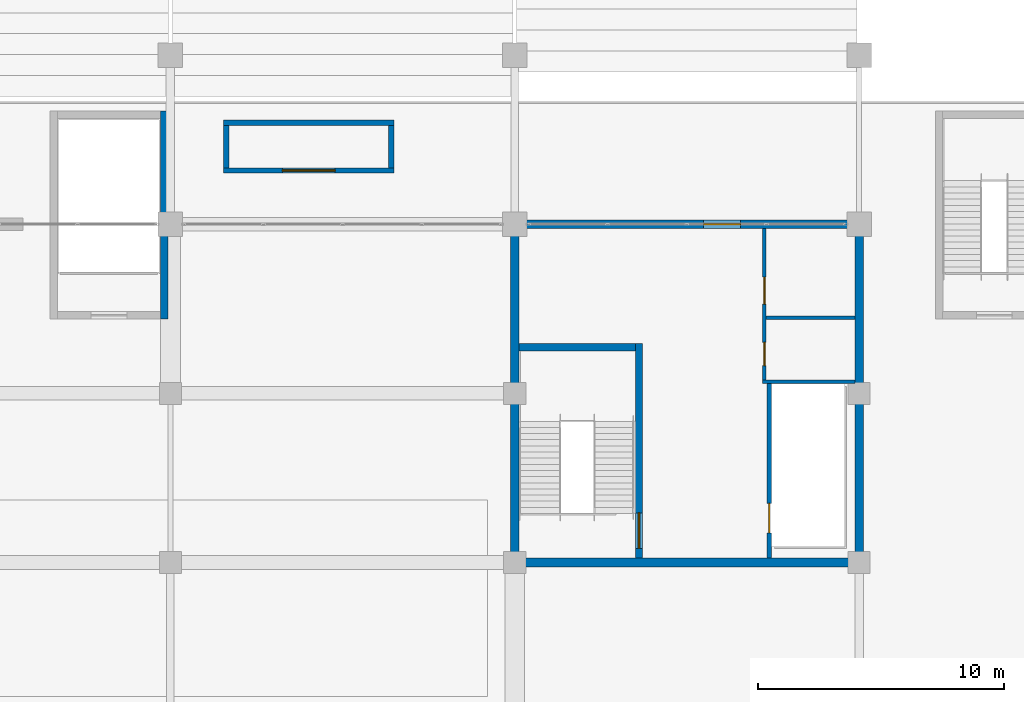
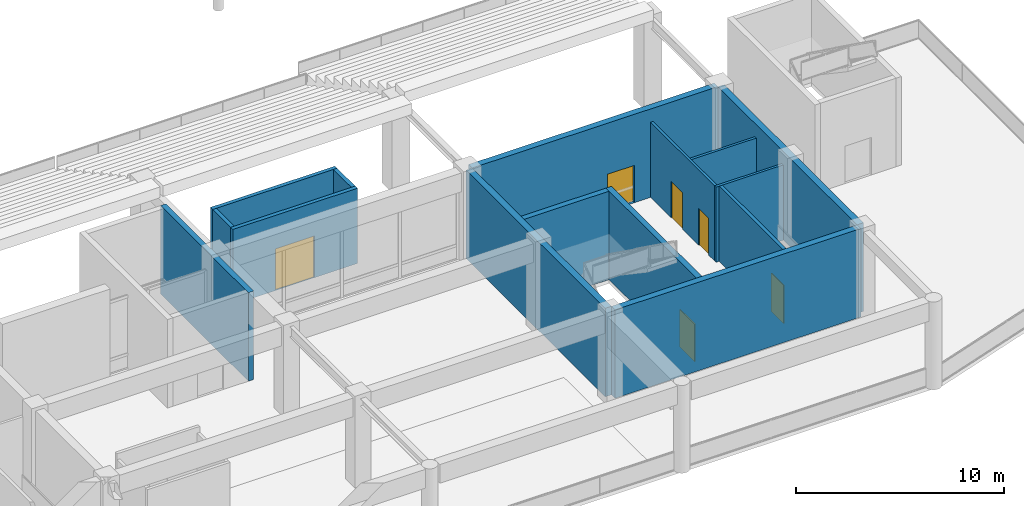
# One storey, part 89 of 117: 15 walls, 6 doors, 6 openings.
"""IFC4 building model written with IfcOpenShell, lengths in metres."""

from ifc_helpers import new_model, si_unit, direction, frame, frame_2d, origin, place, context, subcontext, project, spatial, rectangle, extrude, material, layer, layer_set, type_object, element, fill, save


model = new_model("IFC4")

# Units and contexts
model_context = context("Model", 3, precision=1e-05, world=origin(), true_north=direction((0.0, 1.0)))
body_context = subcontext(model_context, "Body", "Model", "MODEL_VIEW")
ifc_project = project(units=[si_unit("LENGTHUNIT", "METRE"), si_unit("AREAUNIT", "SQUARE_METRE"), si_unit("VOLUMEUNIT", "CUBIC_METRE"), si_unit("PLANEANGLEUNIT", "RADIAN"), si_unit("MASSUNIT", "GRAM", prefix="KILO")], contexts=[model_context])

# Site, building, storey
site_placement = place(None, origin())
site = spatial("IfcSite", under=ifc_project, at=site_placement, CompositionType="ELEMENT")
building_placement = place(site_placement, origin())
building = spatial("IfcBuilding", under=site, at=building_placement, Name="Linyun Crest Stadium", CompositionType="ELEMENT")
storey_placement = place(building_placement, frame((0.0, 0.0, 6.0)))
storey = spatial("IfcBuildingStorey", under=building, at=storey_placement, Name="L02", CompositionType="ELEMENT", Elevation=6.0)

# Walls
ifc_material_1 = material(Name="Concrete C50", Category="concrete")
ifc_layer_1 = layer(ifc_material_1, 0.35009765625)
ifc_layer_set_1 = layer_set([ifc_layer_1], Name="Concrete C50")
wall_type_1 = type_object("IfcWallType", Name="CW01", PredefinedType="SHEAR", material=ifc_layer_set_1)
for number, where, z_axis, x_axis, name in (
    (1, (14.0, -87.074951171875, 0.0), (0.0, 0.0, 1.0), (0.0, 1.0, 0.0), "Core shear wall CW01 CORE-S2 L02.1"),
    (2, (28.0, -87.074951171875, 0.0), (0.0, 0.0, 1.0), (0.0, 1.0, 0.0), "Core shear wall CW01 CORE-S2 L02.2"),
):
    element("IfcWall", number, at=place(storey_placement, frame(where, z_axis=z_axis, x_axis=x_axis)), inside=storey, type_object=wall_type_1, Name=name, PredefinedType="SHEAR", context=body_context, shape_type="SweptSolid", body=[
        extrude(rectangle(XDim=13.39990234375, YDim=0.35009765625, at=frame_2d((6.699951171875, 0.0))), origin(), (0.0, 0.0, 1.0), 5.199951171875),
    ])
wall_1_placement = place(storey_placement, frame((14.175048828125, -87.25, 0.0), z_axis=(0.0, 0.0, 1.0), x_axis=(1.0, 0.0, 0.0)))
element("IfcWall", 3, at=wall_1_placement, inside=storey, type_object=wall_type_1, Name="Core shear wall CW01 CORE-S2 L02.3", PredefinedType="SHEAR", context=body_context, shape_type="SweptSolid", body=[
    extrude(rectangle(XDim=13.64990234375, YDim=0.35009765625, at=frame_2d((6.824951171875, 0.0))), origin(), (0.0, 0.0, 1.0), 5.199951171875),
])

# Wall, opening, door
wall_2_placement = place(storey_placement, frame((14.175048828125, -73.5, 0.0), z_axis=(0.0, 0.0, 1.0), x_axis=(1.0, 0.0, 0.0)))
wall_2 = element("IfcWall", 4, at=wall_2_placement, inside=storey, type_object=wall_type_1, Name="Core shear wall CW01 CORE-S2 L02.4", PredefinedType="SHEAR", context=body_context, shape_type="SweptSolid", body=[
    extrude(rectangle(XDim=13.64990234375, YDim=0.35009765625, at=frame_2d((6.824951171875, 0.0))), origin(), (0.0, 0.0, 1.0), 5.199951171875),
])
opening_1_placement = place(wall_2_placement, frame((7.507080078125, 0.0, 0.0)))
opening_1 = element("IfcOpeningElement", 5, at=opening_1_placement, cuts=wall_2, Name="Opening D-L02-351", PredefinedType="OPENING", context=body_context, shape_type="SweptSolid", body=[
    extrude(rectangle(XDim=1.5, YDim=2.199951171875, at=frame_2d((0.75, 1.10009765625))), frame((0.0, 0.18505859375, 0.0), z_axis=(0.0, -1.0, 0.0), x_axis=(1.0, 0.0, 0.0)), (0.0, 0.0, 1.0), 0.3701171875),
])
ifc_material_2 = material(Name="Galvanized steel Class A fire door", Category="steel")
ifc_layer_2 = layer(ifc_material_2, 0.054931640625)
ifc_layer_set_2 = layer_set([ifc_layer_2], Name="Galvanized steel Class A fire door")
door_type_1 = type_object("IfcDoorType", Name="FD01", OperationType="NOTDEFINED", PredefinedType="DOOR", material=ifc_layer_set_2)
door_1_placement = place(opening_1_placement, origin())
door_1 = element("IfcDoor", 6, at=door_1_placement, inside=storey, type_object=door_type_1, Name="Door D-L02-351", OperationType="SINGLE_SWING_LEFT", OverallHeight=2.199951171875, OverallWidth=1.5, PredefinedType="DOOR", context=body_context, shape_type="SweptSolid", body=[
    extrude(rectangle(XDim=1.5, YDim=2.199951171875, at=frame_2d((0.75, 1.10009765625))), frame((0.0, 0.02490234375, 0.0), z_axis=(0.0, -1.0, 0.0), x_axis=(1.0, 0.0, 0.0)), (0.0, 0.0, 1.0), 0.050048828125),
])
fill(opening_1, door_1)

ifc_material_3 = material(Name="Autoclaved aerated concrete block fire partition", Category="concrete")
ifc_layer_3 = layer(ifc_material_3, 0.179931640625)
ifc_layer_set_3 = layer_set([ifc_layer_3], Name="Autoclaved aerated concrete block fire partition")
wall_type_2 = type_object("IfcWallType", Name="PW12", PredefinedType="PARTITIONING", material=ifc_layer_set_3)
wall_3_placement = place(storey_placement, frame((24.35009765625, -87.074951171875, 0.0), z_axis=(0.0, 0.0, 1.0), x_axis=(0.0, 1.0, 0.0)))
wall_3 = element("IfcWall", 7, at=wall_3_placement, inside=storey, type_object=wall_type_2, Name="Partition PW12 L02 125", PredefinedType="PARTITIONING", context=body_context, shape_type="SweptSolid", body=[
    extrude(rectangle(XDim=7.10498046875, YDim=0.179931640625, at=frame_2d((3.552490234375, 0.0))), origin(), (0.0, 0.0, 1.0), 4.419921875),
])
opening_2_placement = place(wall_3_placement, frame((1.02490234375, 0.0, 0.0)))
opening_2 = element("IfcOpeningElement", 8, at=opening_2_placement, cuts=wall_3, Name="Opening LD104", PredefinedType="OPENING", context=body_context, shape_type="SweptSolid", body=[
    extrude(rectangle(XDim=1.199951171875, YDim=2.25, at=frame_2d((0.60009765625, 1.125))), frame((0.0, 0.099853515625, 0.0), z_axis=(0.0, -1.0, 0.0), x_axis=(1.0, 0.0, 0.0)), (0.0, 0.0, 1.0), 0.199951171875),
])
ifc_material_4 = material(Name="Brushed stainless sliding lift door")
ifc_layer_4 = layer(ifc_material_4, 0.050048828125)
ifc_layer_set_4 = layer_set([ifc_layer_4], Name="Brushed stainless sliding lift door")
door_type_2 = type_object("IfcDoorType", Name="LD02", OperationType="NOTDEFINED", PredefinedType="DOOR", material=ifc_layer_set_4)
door_2_placement = place(opening_2_placement, origin())
door_2 = element("IfcDoor", 9, at=door_2_placement, inside=storey, type_object=door_type_2, Name="Lift landing door LD104", OperationType="DOUBLE_DOOR_SLIDING", OverallHeight=2.25, OverallWidth=1.199951171875, PredefinedType="DOOR", context=body_context, shape_type="SweptSolid", body=[
    extrude(rectangle(XDim=1.199951171875, YDim=2.25, at=frame_2d((0.60009765625, 1.125))), frame((0.0, 0.02490234375, 0.0), z_axis=(0.0, -1.0, 0.0), x_axis=(1.0, 0.0, 0.0)), (0.0, 0.0, 1.0), 0.050048828125),
])
fill(opening_2, door_2)

# Wall, openings, doors
ifc_material_5 = material(Name="Moisture-resistant ceramic-tiled wet-room wall")
ifc_layer_5 = layer(ifc_material_5, 0.139892578125)
ifc_layer_set_5 = layer_set([ifc_layer_5], Name="Moisture-resistant ceramic-tiled wet-room wall")
wall_type_3 = type_object("IfcWallType", Name="PW15", PredefinedType="PARTITIONING", material=ifc_layer_set_5)
wall_4_placement = place(storey_placement, frame((24.14990234375, -79.830078125, 0.0), z_axis=(0.0, 0.0, 1.0), x_axis=(0.0, 1.0, 0.0)))
wall_4 = element("IfcWall", 10, at=wall_4_placement, inside=storey, type_object=wall_type_3, Name="Partition PW15 L02 126", PredefinedType="PARTITIONING", context=body_context, shape_type="SweptSolid", body=[
    extrude(rectangle(XDim=6.155029296875, YDim=0.139892578125, at=frame_2d((3.07763671875, 0.0))), origin(), (0.0, 0.0, 1.0), 4.419921875),
])
opening_3_placement = place(wall_4_placement, frame((0.580078125, 0.0, 0.0)))
opening_3 = element("IfcOpeningElement", 11, at=opening_3_placement, cuts=wall_4, Name="Opening D-L02-354", PredefinedType="OPENING", context=body_context, shape_type="SweptSolid", body=[
    extrude(rectangle(XDim=0.949951171875, YDim=2.14990234375, at=frame_2d((0.47509765625, 1.074951171875))), frame((0.0, 0.079833984375, 0.0), z_axis=(0.0, -1.0, 0.0), x_axis=(1.0, 0.0, 0.0)), (0.0, 0.0, 1.0), 0.159912109375),
])
opening_4_placement = place(wall_4_placement, frame((3.080078125, 0.0, 0.0)))
opening_4 = element("IfcOpeningElement", 12, at=opening_4_placement, cuts=wall_4, Name="Opening D-L02-355", PredefinedType="OPENING", context=body_context, shape_type="SweptSolid", body=[
    extrude(rectangle(XDim=1.10009765625, YDim=2.14990234375, at=frame_2d((0.550048828125, 1.074951171875))), frame((0.0, 0.079833984375, 0.0), z_axis=(0.0, -1.0, 0.0), x_axis=(1.0, 0.0, 0.0)), (0.0, 0.0, 1.0), 0.159912109375),
])
ifc_material_6 = material(Name="Moisture-resistant laminate leaf")
ifc_layer_6 = layer(ifc_material_6, 0.044921875)
ifc_layer_set_6 = layer_set([ifc_layer_6], Name="Moisture-resistant laminate leaf")
door_type_3 = type_object("IfcDoorType", Name="ID02", OperationType="NOTDEFINED", PredefinedType="DOOR", material=ifc_layer_set_6)
door_3_placement = place(opening_3_placement, origin())
door_3 = element("IfcDoor", 13, at=door_3_placement, inside=storey, type_object=door_type_3, Name="Door D-L02-354", OperationType="SINGLE_SWING_RIGHT", OverallHeight=2.14990234375, OverallWidth=0.949951171875, PredefinedType="DOOR", context=body_context, shape_type="SweptSolid", body=[
    extrude(rectangle(XDim=0.949951171875, YDim=2.14990234375, at=frame_2d((0.47509765625, 1.074951171875))), frame((0.0, 0.02490234375, 0.0), z_axis=(0.0, -1.0, 0.0), x_axis=(1.0, 0.0, 0.0)), (0.0, 0.0, 1.0), 0.050048828125),
])
fill(opening_3, door_3)
ifc_material_7 = material(Name="Moisture-resistant laminate leaf")
ifc_layer_7 = layer(ifc_material_7, 0.044921875)
ifc_layer_set_7 = layer_set([ifc_layer_7], Name="Moisture-resistant laminate leaf")
door_type_4 = type_object("IfcDoorType", Name="ID03", OperationType="NOTDEFINED", PredefinedType="DOOR", material=ifc_layer_set_7)
door_4_placement = place(opening_4_placement, origin())
door_4 = element("IfcDoor", 14, at=door_4_placement, inside=storey, type_object=door_type_4, Name="Door D-L02-355", OperationType="SINGLE_SWING_LEFT", OverallHeight=2.14990234375, OverallWidth=1.10009765625, PredefinedType="DOOR", context=body_context, shape_type="SweptSolid", body=[
    extrude(rectangle(XDim=1.10009765625, YDim=2.14990234375, at=frame_2d((0.550048828125, 1.074951171875))), frame((0.0, 0.02490234375, 0.0), z_axis=(0.0, -1.0, 0.0), x_axis=(1.0, 0.0, 0.0)), (0.0, 0.0, 1.0), 0.050048828125),
])
fill(opening_4, door_4)

# Walls
wall_5_placement = place(storey_placement, frame((24.080078125, -79.89990234375, 0.0), z_axis=(0.0, 0.0, 1.0), x_axis=(1.0, 0.0, 0.0)))
element("IfcWall", 15, at=wall_5_placement, inside=storey, type_object=wall_type_3, Name="Enclosure partition PW15 L02 117", PredefinedType="PARTITIONING", context=body_context, shape_type="SweptSolid", body=[
    extrude(rectangle(XDim=3.744873046875, YDim=0.139892578125, at=frame_2d((1.87255859375, 0.0))), origin(), (0.0, 0.0, 1.0), 4.419921875),
])
wall_6_placement = place(storey_placement, frame((24.219970703125, -77.300048828125, 0.0), z_axis=(0.0, 0.0, 1.0), x_axis=(1.0, 0.0, 0.0)))
element("IfcWall", 16, at=wall_6_placement, inside=storey, type_object=wall_type_3, Name="Enclosure partition PW15 L02 118", PredefinedType="PARTITIONING", context=body_context, shape_type="SweptSolid", body=[
    extrude(rectangle(XDim=3.60498046875, YDim=0.139892578125, at=frame_2d((1.802490234375, 0.0))), origin(), (0.0, 0.0, 1.0), 4.419921875),
])

# Wall, opening, door
ifc_material_8 = material(Name="Kitchen hood and service riser enclosure wall")
ifc_layer_8 = layer(ifc_material_8, 0.2099609375)
ifc_layer_set_8 = layer_set([ifc_layer_8], Name="Kitchen hood and service riser enclosure wall")
wall_type_4 = type_object("IfcWallType", Name="PW26", PredefinedType="PARTITIONING", material=ifc_layer_set_8)
wall_7_placement = place(storey_placement, frame((9.0849609375, -71.31005859375, 0.0), z_axis=(0.0, 0.0, 1.0), x_axis=(-1.0, 0.0, 0.0)))
wall_7 = element("IfcWall", 17, at=wall_7_placement, inside=storey, type_object=wall_type_4, Name="Partition PW26 L02 195", PredefinedType="PARTITIONING", context=body_context, shape_type="SweptSolid", body=[
    extrude(rectangle(XDim=6.919921875, YDim=0.2099609375, at=frame_2d((3.4599609375, 0.0))), origin(), (0.0, 0.0, 1.0), 4.419921875),
])
opening_5_placement = place(wall_7_placement, frame((2.385009765625, 0.0, 0.0)))
opening_5 = element("IfcOpeningElement", 18, at=opening_5_placement, cuts=wall_7, Name="Opening D-L02-458", PredefinedType="OPENING", context=body_context, shape_type="SweptSolid", body=[
    extrude(rectangle(XDim=2.14990234375, YDim=2.449951171875, at=frame_2d((1.074951171875, 1.22509765625))), frame((0.0, 0.114990234375, 0.0), z_axis=(0.0, -1.0, 0.0), x_axis=(1.0, 0.0, 0.0)), (0.0, 0.0, 1.0), 0.22998046875),
])
ifc_material_9 = material(Name="Anodized aluminium retail door", Category="aluminium")
ifc_layer_9 = layer(ifc_material_9, 0.054931640625)
ifc_layer_set_9 = layer_set([ifc_layer_9], Name="Anodized aluminium retail door")
door_type_5 = type_object("IfcDoorType", Name="ID18", OperationType="NOTDEFINED", PredefinedType="DOOR", material=ifc_layer_set_9)
door_5_placement = place(opening_5_placement, origin())
door_5 = element("IfcDoor", 19, at=door_5_placement, inside=storey, type_object=door_type_5, Name="Door D-L02-458", OperationType="DOUBLE_DOOR_SINGLE_SWING", OverallHeight=2.449951171875, OverallWidth=2.14990234375, PredefinedType="DOOR", context=body_context, shape_type="SweptSolid", body=[
    extrude(rectangle(XDim=2.14990234375, YDim=2.449951171875, at=frame_2d((1.074951171875, 1.22509765625))), frame((0.0, 0.02490234375, 0.0), z_axis=(0.0, -1.0, 0.0), x_axis=(1.0, 0.0, 0.0)), (0.0, 0.0, 1.0), 0.050048828125),
])
fill(opening_5, door_5)

# Walls
wall_8_placement = place(storey_placement, frame((2.1650390625, -69.3701171875, 0.0), z_axis=(0.0, 0.0, 1.0), x_axis=(1.0, 0.0, 0.0)))
element("IfcWall", 20, at=wall_8_placement, inside=storey, type_object=wall_type_4, Name="Enclosure partition PW26 L02 301", PredefinedType="PARTITIONING", context=body_context, shape_type="SweptSolid", body=[
    extrude(rectangle(XDim=6.919921875, YDim=0.2099609375, at=frame_2d((3.4599609375, 0.0))), origin(), (0.0, 0.0, 1.0), 4.419921875),
])
for number, where, z_axis, x_axis, name in (
    (21, (2.27001953125, -71.205078125, 0.0), (0.0, 0.0, 1.0), (0.0, 1.0, 0.0), "Enclosure partition PW26 L02 302"),
    (22, (8.97998046875, -71.205078125, 0.0), (0.0, 0.0, 1.0), (0.0, 1.0, 0.0), "Enclosure partition PW26 L02 303"),
):
    element("IfcWall", number, at=place(storey_placement, frame(where, z_axis=z_axis, x_axis=x_axis)), inside=storey, type_object=wall_type_4, Name=name, PredefinedType="PARTITIONING", context=body_context, shape_type="SweptSolid", body=[
        extrude(rectangle(XDim=1.72998046875, YDim=0.2099609375, at=frame_2d((0.864990234375, 0.0))), origin(), (0.0, 0.0, 1.0), 4.419921875),
    ])

# Wall, opening, door
ifc_material_10 = material(Name="Concrete C50", Category="concrete")
ifc_layer_10 = layer(ifc_material_10, 0.300048828125)
ifc_layer_set_10 = layer_set([ifc_layer_10], Name="Concrete C50")
wall_type_5 = type_object("IfcWallType", Name="SW01", PredefinedType="SHEAR", material=ifc_layer_set_10)
wall_9_placement = place(storey_placement, frame((19.050048828125, -87.074951171875, 0.0), z_axis=(0.0, 0.0, 1.0), x_axis=(0.0, 1.0, 0.0)))
wall_9 = element("IfcWall", 23, at=wall_9_placement, inside=storey, type_object=wall_type_5, Name="Core stair east bearing wall SW01 10 L02", PredefinedType="SHEAR", context=body_context, shape_type="SweptSolid", body=[
    extrude(rectangle(XDim=8.724853515625, YDim=0.300048828125, at=frame_2d((4.3623046875, 0.0))), origin(), (0.0, 0.0, 1.0), 5.199951171875),
])
opening_6_placement = place(wall_9_placement, frame((0.39501953125, 0.0, 0.0)))
opening_6 = element("IfcOpeningElement", 24, at=opening_6_placement, cuts=wall_9, Name="Opening D-L02-352", PredefinedType="OPENING", context=body_context, shape_type="SweptSolid", body=[
    extrude(rectangle(XDim=1.449951171875, YDim=2.199951171875, at=frame_2d((0.72509765625, 1.10009765625))), frame((0.0, 0.159912109375, 0.0), z_axis=(0.0, -1.0, 0.0), x_axis=(1.0, 0.0, 0.0)), (0.0, 0.0, 1.0), 0.320068359375),
])
ifc_material_11 = material(Name="Galvanized steel Class A fire door", Category="steel")
ifc_layer_11 = layer(ifc_material_11, 0.054931640625)
ifc_layer_set_11 = layer_set([ifc_layer_11], Name="Galvanized steel Class A fire door")
door_type_6 = type_object("IfcDoorType", Name="FD02", OperationType="NOTDEFINED", PredefinedType="DOOR", material=ifc_layer_set_11)
door_6_placement = place(opening_6_placement, origin())
door_6 = element("IfcDoor", 25, at=door_6_placement, inside=storey, type_object=door_type_6, Name="Door D-L02-352", OperationType="SINGLE_SWING_RIGHT", OverallHeight=2.199951171875, OverallWidth=1.449951171875, PredefinedType="DOOR", context=body_context, shape_type="SweptSolid", body=[
    extrude(rectangle(XDim=1.449951171875, YDim=2.199951171875, at=frame_2d((0.72509765625, 1.10009765625))), frame((0.0, 0.02490234375, 0.0), z_axis=(0.0, -1.0, 0.0), x_axis=(1.0, 0.0, 0.0)), (0.0, 0.0, 1.0), 0.050048828125),
])
fill(opening_6, door_6)

# Walls
wall_10_placement = place(storey_placement, frame((14.175048828125, -78.5, 0.0), z_axis=(0.0, 0.0, 1.0), x_axis=(1.0, 0.0, 0.0)))
element("IfcWall", 26, at=wall_10_placement, inside=storey, type_object=wall_type_5, Name="Core stair bearing wall SW01 10 L02", PredefinedType="SHEAR", context=body_context, shape_type="SweptSolid", body=[
    extrude(rectangle(XDim=4.724853515625, YDim=0.300048828125, at=frame_2d((2.3623046875, 0.0))), origin(), (0.0, 0.0, 1.0), 5.199951171875),
])
wall_11_placement = place(storey_placement, frame((-0.25, -77.35009765625, 0.0), z_axis=(0.0, 0.0, 1.0), x_axis=(0.0, 1.0, 0.0)))
element("IfcWall", 27, at=wall_11_placement, inside=storey, type_object=wall_type_5, Name="Stair shaft wall SW01 STR-28 L02 E", PredefinedType="SHEAR", context=body_context, shape_type="SweptSolid", body=[
    extrude(rectangle(XDim=8.4501953125, YDim=0.300048828125, at=frame_2d((4.22509765625, 0.0))), origin(), (0.0, 0.0, 1.0), 5.199951171875),
])

save(model, "model.ifc")
